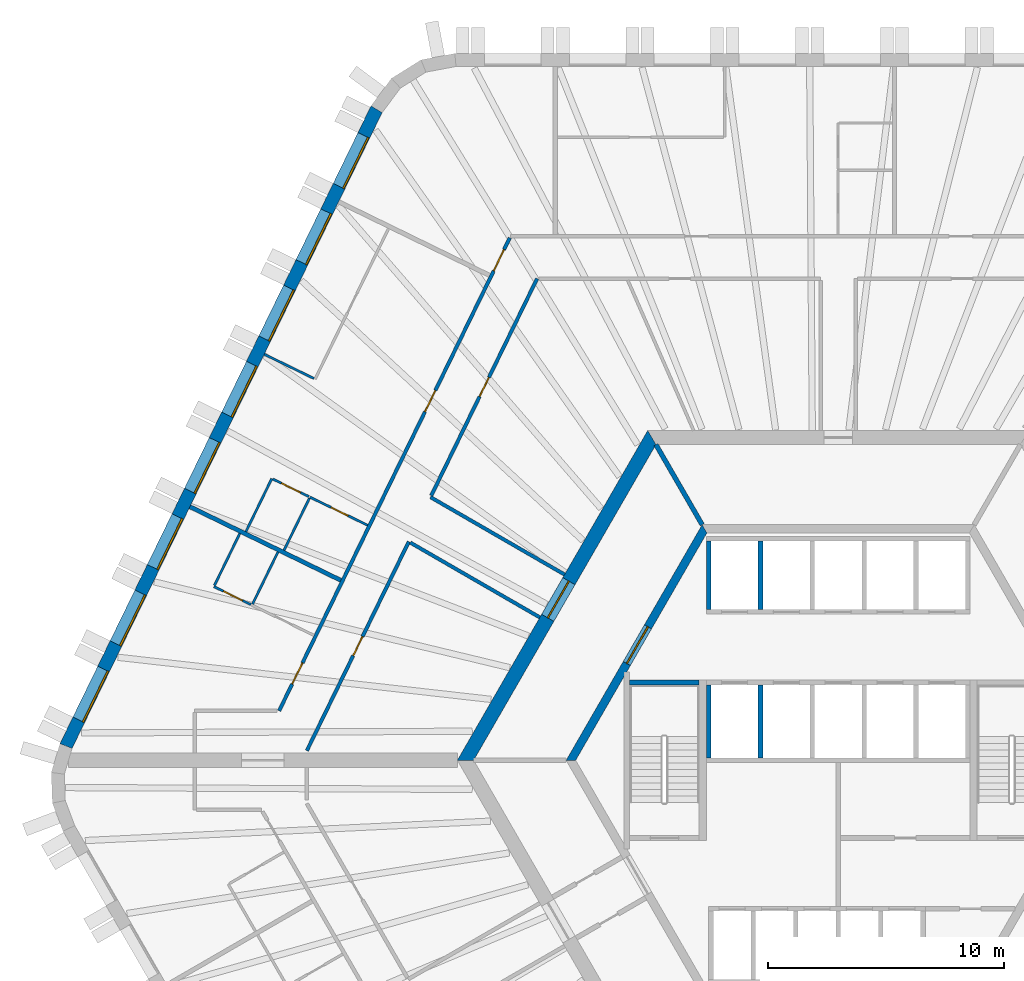
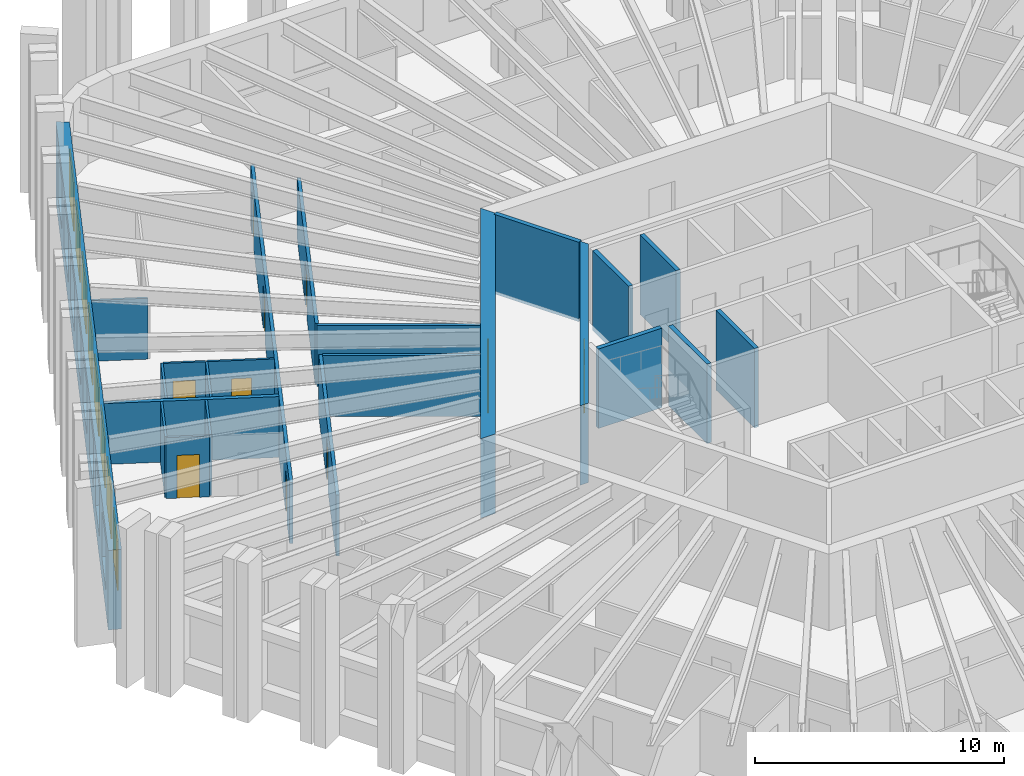
# One storey, part 7 of 13: 23 walls, 10 doors, 8 windows, 18 openings.
"""IFC4 building model written with IfcOpenShell, lengths in metres."""

import ifcopenshell
import ifcopenshell.guid

model = None  # the IFC model being written
_history = None  # IfcOwnerHistory: only IFC2X3 demands one
_inside = {}  # id of a spatial element -> (the spatial element, [elements in it])
_under = {}  # id of a project, library or spatial element -> (it, [spatial elements below it])
_declared = {}  # id of a project -> (the project, [libraries it declares])
_typed = {}  # id of a type object -> (the type object, [elements of that type])
_made_of = {}  # id of a material, layer set ... -> (it, [elements and type objects made of it])


def new_model(schema):
    """Start an empty IFC model of exactly this schema.

    Asked for "IFC4X3", IfcOpenShell would pick the latest addendum, in which some entities
    have other attributes; the version numbers below select the first issue.
    IFC2X3 requires an IfcOwnerHistory on every rooted entity: one is made here for all.
    """
    global model, _history
    if schema == "IFC4X3":
        model = ifcopenshell.file(schema_version=(4, 3, 0, 0))
    else:
        model = ifcopenshell.file(schema=schema)
    _inside.clear()
    _under.clear()
    _declared.clear()
    _typed.clear()
    _made_of.clear()
    _history = None
    if model.schema == "IFC2X3":
        org = make("IfcOrganization", Name="unknown")
        user = make(
            "IfcPersonAndOrganization",
            ThePerson=make("IfcPerson", FamilyName="unknown"),
            TheOrganization=org,
        )
        app = make(
            "IfcApplication",
            ApplicationDeveloper=org,
            Version="unknown",
            ApplicationFullName="unknown",
            ApplicationIdentifier="unknown",
        )
        _history = make(
            "IfcOwnerHistory",
            OwningUser=user,
            OwningApplication=app,
            ChangeAction="ADDED",
            CreationDate=0,
        )
    return model


def make(cls, **values):
    """One entity of the class cls with the attributes given. An attribute that is None is left unset."""
    return model.create_entity(
        cls, **{name: value for name, value in values.items() if value is not None}
    )


def rooted(cls, **values):
    """An entity with a GlobalId (a new one), such as an element, a storey or a relation."""
    return make(cls, GlobalId=ifcopenshell.guid.new(), OwnerHistory=_history, **values)


def si_unit(unit_type, name, prefix=None):
    """IfcSIUnit, for example si_unit("LENGTHUNIT", "METRE", prefix="MILLI")."""
    return make("IfcSIUnit", UnitType=unit_type, Prefix=prefix, Name=name)


def assignment(units):
    """IfcUnitAssignment: the units of a project."""
    return None if units is None else make("IfcUnitAssignment", Units=units)


def point(xyz):
    """IfcCartesianPoint."""
    return None if xyz is None else make("IfcCartesianPoint", Coordinates=xyz)


def direction(xyz):
    """IfcDirection."""
    return None if xyz is None else make("IfcDirection", DirectionRatios=xyz)


def frame(location, z_axis=None, x_axis=None):
    """IfcAxis2Placement3D, a coordinate frame: its origin and axes. An axis left out is left unset."""
    return make(
        "IfcAxis2Placement3D",
        Location=point(location),
        Axis=direction(z_axis),
        RefDirection=direction(x_axis),
    )


def frame_2d(location, x_axis=None):
    """IfcAxis2Placement2D, a coordinate frame in the plane: its origin and x axis."""
    return make(
        "IfcAxis2Placement2D", Location=point(location), RefDirection=direction(x_axis)
    )


def origin():
    """The frame at (0, 0, 0) with its axes left unset."""
    return frame((0.0, 0.0, 0.0))


def place(relative_to, where):
    """IfcLocalPlacement: puts the frame where relative to a parent placement (None: the world)."""
    return make(
        "IfcLocalPlacement", PlacementRelTo=relative_to, RelativePlacement=where
    )


def context(
    kind, dimensions, precision=None, world=None, true_north=None, identifier=None
):
    """IfcGeometricRepresentationContext, for example the 3D "Model" context."""
    return make(
        "IfcGeometricRepresentationContext",
        ContextIdentifier=identifier,
        ContextType=kind,
        CoordinateSpaceDimension=dimensions,
        Precision=precision,
        WorldCoordinateSystem=world,
        TrueNorth=true_north,
    )


def subcontext(parent, identifier, kind, view, scale=None):
    """IfcGeometricRepresentationSubContext, for example "Body" below "Model"."""
    return make(
        "IfcGeometricRepresentationSubContext",
        ContextIdentifier=identifier,
        ContextType=kind,
        ParentContext=parent,
        TargetScale=scale,
        TargetView=view,
    )


def project(units=None, contexts=None):
    """IfcProject with its units and contexts."""
    return rooted(
        "IfcProject",
        Name="project",
        RepresentationContexts=contexts,
        UnitsInContext=assignment(units),
    )


def spatial(cls, under=None, at=None, **own):
    """A site, building, storey or space (cls), placed at a placement, below another one or the project."""
    s = rooted(cls, ObjectPlacement=at, **own)
    if under is not None:
        _under.setdefault(under.id(), (under, []))[1].append(s)
    return s


def polyline(points):
    """IfcPolyline through the points."""
    return make("IfcPolyline", Points=[point(p) for p in points])


def profile(cls, at=None, kind="AREA", **sizes):
    """A parametric profile (cls). Its sizes go by their IFC names, for example OverallWidth=200.0."""
    return make(cls, ProfileType=kind, Position=at, **sizes)


def rectangle(**sizes):
    """IfcRectangleProfileDef."""
    return profile("IfcRectangleProfileDef", **sizes)


def outline(outer, holes=None, kind="AREA"):
    """IfcArbitraryClosedProfileDef: a profile drawn as a closed curve; with holes, ...WithVoids."""
    if holes is None:
        return make("IfcArbitraryClosedProfileDef", ProfileType=kind, OuterCurve=outer)
    return make(
        "IfcArbitraryProfileDefWithVoids",
        ProfileType=kind,
        OuterCurve=outer,
        InnerCurves=holes,
    )


def extrude(swept, where, along, depth):
    """IfcExtrudedAreaSolid: the profile swept, set in the frame where, extruded along a direction by depth."""
    return make(
        "IfcExtrudedAreaSolid",
        SweptArea=swept,
        Position=where,
        ExtrudedDirection=direction(along),
        Depth=depth,
    )


def shape(context_of_items, identifier, shape_type, items):
    """IfcShapeRepresentation: the items that make up one representation, for example the "Body"."""
    return make(
        "IfcShapeRepresentation",
        ContextOfItems=context_of_items,
        RepresentationIdentifier=identifier,
        RepresentationType=shape_type,
        Items=items,
    )


def material(Name=None, Category=None):
    """IfcMaterial."""
    return make("IfcMaterial", Name=Name, Category=Category)


def layer(
    of_material, thickness, ventilated=None, Name=None, Category=None, Priority=None
):
    """IfcMaterialLayer: one layer of a wall or slab, of a material (None: an air gap)."""
    return make(
        "IfcMaterialLayer",
        Material=of_material,
        LayerThickness=thickness,
        IsVentilated=ventilated,
        Name=Name,
        Category=Category,
        Priority=Priority,
    )


def layer_set(layers, Name=None):
    """IfcMaterialLayerSet."""
    return make("IfcMaterialLayerSet", MaterialLayers=layers, LayerSetName=Name)


def made_of(thing, what):
    """Note that an element or type object is made of a material, layer set ...; save() writes the relation."""
    if what is not None:
        _made_of.setdefault(what.id(), (what, []))[1].append(thing)
    return thing


def type_object(cls, material=None, **own):
    """A type object (cls), such as IfcWallType, which elements share."""
    return made_of(rooted(cls, **own), material)


def element(
    cls,
    number,
    at=None,
    inside=None,
    cuts=None,
    type_object=None,
    material=None,
    context=None,
    identifier="Body",
    shape_type=None,
    held_by="IfcProductDefinitionShape",
    body=None,
    shapes=None,
    **own,
):
    """One element of the class cls, such as IfcWall. Its Tag is "e" and its number.

    at: its placement. inside: the storey or other place that contains it. cuts: it is an
    opening in that element (IfcRelVoidsElement). A single representation is given by context,
    identifier, shape_type and body (its items); several are given by shapes. held_by: the class
    of the entity that holds the representations. save() writes the other relations.
    """
    e = rooted(cls, Tag="e%d" % number, ObjectPlacement=at, **own)
    if body is not None:
        shapes = [shape(context, identifier, shape_type, body)]
    if shapes is not None:
        e.Representation = make(held_by, Representations=shapes)
    if inside is not None:
        _inside.setdefault(inside.id(), (inside, []))[1].append(e)
    if cuts is not None:
        rooted(
            "IfcRelVoidsElement", RelatingBuildingElement=cuts, RelatedOpeningElement=e
        )
    if type_object is not None:
        _typed.setdefault(type_object.id(), (type_object, []))[1].append(e)
    return made_of(e, material)


def fill(opening, filler):
    """IfcRelFillsElement: the door or window that sits in an opening."""
    return rooted(
        "IfcRelFillsElement",
        RelatingOpeningElement=opening,
        RelatedBuildingElement=filler,
    )


def aggregate(whole, parts):
    """IfcRelAggregates: a whole, such as a stair, and the parts it consists of."""
    return rooted("IfcRelAggregates", RelatingObject=whole, RelatedObjects=parts)


def save(model, path):
    """Write the relations noted so far, then the file.

    IfcRelAggregates (storeys below a building ...), IfcRelContainedInSpatialStructure (elements
    in a storey), IfcRelDefinesByType, IfcRelAssociatesMaterial and IfcRelDeclares: one each for
    every whole, place, type object, material and project.
    """
    for whole, parts in _under.values():
        aggregate(whole, parts)
    for where, things in _inside.values():
        rooted(
            "IfcRelContainedInSpatialStructure",
            RelatedElements=things,
            RelatingStructure=where,
        )
    for kind, things in _typed.values():
        rooted("IfcRelDefinesByType", RelatedObjects=things, RelatingType=kind)
    for what, things in _made_of.values():
        rooted("IfcRelAssociatesMaterial", RelatedObjects=things, RelatingMaterial=what)
    for by, libraries in _declared.values():
        rooted("IfcRelDeclares", RelatingContext=by, RelatedDefinitions=libraries)
    model.write(path)


model = new_model("IFC4")

# Units and contexts
model_context = context("Model", 3, precision=1e-05, world=origin(), true_north=direction((0.0, 1.0)))
body_context = subcontext(model_context, "Body", "Model", "MODEL_VIEW")
ifc_project = project(units=[si_unit("LENGTHUNIT", "METRE"), si_unit("AREAUNIT", "SQUARE_METRE"), si_unit("VOLUMEUNIT", "CUBIC_METRE"), si_unit("PLANEANGLEUNIT", "RADIAN"), si_unit("MASSUNIT", "GRAM", prefix="KILO")], contexts=[model_context])

# Site, building, storey
site_placement = place(None, origin())
site = spatial("IfcSite", under=ifc_project, at=site_placement, CompositionType="ELEMENT")
building_placement = place(site_placement, origin())
building = spatial("IfcBuilding", under=site, at=building_placement, Name="Tarnside Tower", CompositionType="ELEMENT")
storey_placement = place(building_placement, frame((0.0, 0.0, 92.10009765625)))
storey = spatial("IfcBuildingStorey", under=building, at=storey_placement, Name="L20", CompositionType="ELEMENT", Elevation=92.10009765625)

# Wall, opening, door
ifc_material_1 = material(Name="Gypsum board partition on steel studs", Category="steel")
ifc_layer_1 = layer(ifc_material_1, 0.10009765625)
ifc_layer_set_1 = layer_set([ifc_layer_1], Name="Bathroom wall 100")
wall_type_1 = type_object("IfcWallType", Name="Bathroom wall 100", PredefinedType="PARTITIONING", material=ifc_layer_set_1)
wall_1_placement = place(storey_placement, frame((-22.42236328125, 11.1708984375, 0.0), z_axis=(0.0, 0.0, 1.0), x_axis=(0.898791692788, -0.43837597217, 0.0)))
wall_1 = element("IfcWall", 1, at=wall_1_placement, inside=storey, type_object=wall_type_1, Name="Bathroom wall 06095", PredefinedType="PARTITIONING", context=body_context, shape_type="SweptSolid", body=[
    extrude(rectangle(XDim=2.72509765625, YDim=0.10009765625, at=frame_2d((1.362548828125, 0.0))), origin(), (0.0, 0.0, 1.0), 2.98779296875),
])
opening_1_placement = place(wall_1_placement, frame((1.0, 0.0, 0.0)))
opening_1 = element("IfcOpeningElement", 2, at=opening_1_placement, cuts=wall_1, Name="Opening D-B1", PredefinedType="OPENING", context=body_context, shape_type="SweptSolid", body=[
    extrude(rectangle(XDim=0.800048828125, YDim=2.10009765625, at=frame_2d((0.39990234375, 1.050048828125))), frame((0.0, 0.06005859375, 0.0), z_axis=(0.0, -1.0, 0.0), x_axis=(1.0, 0.0, 0.0)), (0.0, 0.0, 1.0), 0.1201171875),
])
ifc_material_2 = material(Name="Timber door leaf", Category="wood")
door_type_1 = type_object("IfcDoorType", Name="Bathroom door 800", OperationType="NOTDEFINED", PredefinedType="DOOR", material=ifc_material_2)
door_1_placement = place(opening_1_placement, origin())
door_1 = element("IfcDoor", 3, at=door_1_placement, inside=storey, type_object=door_type_1, Name="Bathroom door 06010", OperationType="SINGLE_SWING_LEFT", OverallHeight=2.10009765625, OverallWidth=0.800048828125, PredefinedType="DOOR", context=body_context, shape_type="SweptSolid", body=[
    extrude(rectangle(XDim=0.800048828125, YDim=2.10009765625, at=frame_2d((0.39990234375, 1.050048828125))), frame((0.0, 0.02490234375, 0.0), z_axis=(0.0, -1.0, 0.0), x_axis=(1.0, 0.0, 0.0)), (0.0, 0.0, 1.0), 0.050048828125),
])
fill(opening_1, door_1)

# Walls
for number, where, z_axis, x_axis, name in (
    (4, (-22.444091796875, 11.1259765625, 0.0), (0.0, 0.0, 1.0), (-0.438378657462, -0.89879038306, 0.0), "Bathroom wall 06102"),
    (5, (-23.78125, 8.8408203125, 0.0), (0.0, 0.0, 1.0), (-0.438378657462, -0.89879038306, 0.0), "Bathroom wall 06109"),
):
    element("IfcWall", number, at=place(storey_placement, frame(where, z_axis=z_axis, x_axis=x_axis)), inside=storey, type_object=wall_type_1, Name=name, PredefinedType="PARTITIONING", context=body_context, shape_type="SweptSolid", body=[
        extrude(rectangle(XDim=2.4599609375, YDim=0.10009765625, at=frame_2d((1.22998046875, 0.0))), origin(), (0.0, 0.0, 1.0), 2.98779296875),
    ])

# Wall, opening, door
ifc_material_3 = material(Name="Concrete C50/60", Category="concrete")
ifc_layer_2 = layer(ifc_material_3, 0.35009765625)
ifc_layer_set_2 = layer_set([ifc_layer_2], Name="Core block wall 350 C50/60")
wall_type_2 = type_object("IfcWallType", Name="Core block wall 350 C50/60", PredefinedType="SHEAR", material=ifc_layer_set_2)
wall_2_placement = place(storey_placement, frame((-5.672607421875, 9.824951171875, -0.150146484375), z_axis=(0.0, 0.0, 1.0), x_axis=(-0.499995046907, -0.866028263435, 0.0)))
wall_2 = element("IfcWall", 6, at=wall_2_placement, inside=storey, type_object=wall_type_2, Name="L20 core block wall face 2", PredefinedType="SHEAR", context=body_context, shape_type="SweptSolid", body=[
    extrude(outline(polyline([(-0.10107421875, -0.175048828125), (11.44580078125, -0.175048828125), (11.24365234375, 0.175048828125), (0.10107421875, 0.175048828125), (-0.10107421875, -0.175048828125)])), origin(), (0.0, 0.0, 1.0), 3.900146484375),
])
opening_2_placement = place(wall_2_placement, frame((4.80126953125, 0.0, 0.14990234375)))
opening_2 = element("IfcOpeningElement", 7, at=opening_2_placement, cuts=wall_2, Name="Opening CD-LOB", PredefinedType="OPENING", context=body_context, shape_type="SweptSolid", body=[
    extrude(rectangle(XDim=1.800048828125, YDim=2.39990234375, at=frame_2d((0.89990234375, 1.199951171875))), frame((0.0, 0.18505859375, 0.0), z_axis=(0.0, -1.0, 0.0), x_axis=(1.0, 0.0, 0.0)), (0.0, 0.0, 1.0), 0.3701171875),
])
ifc_material_4 = material(Name="Steel fire door", Category="steel")
door_type_2 = type_object("IfcDoorType", Name="Lobby double door FD30S 1800x2400", OperationType="NOTDEFINED", PredefinedType="DOOR", material=ifc_material_4)
door_2_placement = place(opening_2_placement, origin())
door_2 = element("IfcDoor", 8, at=door_2_placement, inside=storey, type_object=door_type_2, Name="L20 lobby block door P1", OperationType="DOUBLE_DOOR_SINGLE_SWING", OverallHeight=2.39990234375, OverallWidth=1.800048828125, PredefinedType="DOOR", context=body_context, shape_type="SweptSolid", body=[
    extrude(rectangle(XDim=1.800048828125, YDim=2.39990234375, at=frame_2d((0.89990234375, 1.199951171875))), frame((0.0, 0.02490234375, 0.0), z_axis=(0.0, -1.0, 0.0), x_axis=(1.0, 0.0, 0.0)), (0.0, 0.0, 1.0), 0.050048828125),
])
fill(opening_2, door_2)

ifc_material_5 = material(Name="Concrete C80/95", Category="concrete")
ifc_layer_3 = layer(ifc_material_5, 0.60009765625)
ifc_layer_set_3 = layer_set([ifc_layer_3], Name="Core wall Z1 600 C80/95")
wall_type_3 = type_object("IfcWallType", Name="Core wall Z1 600 C80/95", PredefinedType="SHEAR", material=ifc_layer_set_3)
wall_3_placement = place(storey_placement, frame((-7.90966796875, 13.699951171875, -0.150146484375), z_axis=(0.0, 0.0, 1.0), x_axis=(-0.499999880136, -0.866025472988, 0.0)))
wall_3 = element("IfcWall", 9, at=wall_3_placement, inside=storey, type_object=wall_type_3, Name="L20 core wall face 2", PredefinedType="SHEAR", context=body_context, shape_type="SweptSolid", body=[
    extrude(outline(polyline([(-0.17333984375, -0.300048828125), (15.99267578125, -0.300048828125), (15.64599609375, 0.300048828125), (0.17333984375, 0.300048828125), (-0.17333984375, -0.300048828125)])), origin(), (0.0, 0.0, 1.0), 3.900146484375),
])
opening_3_placement = place(wall_3_placement, frame((7.03857421875, 0.0, 0.14990234375)))
opening_3 = element("IfcOpeningElement", 10, at=opening_3_placement, cuts=wall_3, Name="Opening CD-LOB", PredefinedType="OPENING", context=body_context, shape_type="SweptSolid", body=[
    extrude(rectangle(XDim=1.800048828125, YDim=2.39990234375, at=frame_2d((0.89990234375, 1.199951171875))), frame((0.0, 0.31005859375, 0.0), z_axis=(0.0, -1.0, 0.0), x_axis=(1.0, 0.0, 0.0)), (0.0, 0.0, 1.0), 0.6201171875),
])
door_3_placement = place(opening_3_placement, origin())
door_3 = element("IfcDoor", 11, at=door_3_placement, inside=storey, type_object=door_type_2, Name="L20 core door P1", OperationType="DOUBLE_DOOR_SINGLE_SWING", OverallHeight=2.39990234375, OverallWidth=1.800048828125, PredefinedType="DOOR", context=body_context, shape_type="SweptSolid", body=[
    extrude(rectangle(XDim=1.800048828125, YDim=2.39990234375, at=frame_2d((0.89990234375, 1.199951171875))), frame((0.0, 0.02490234375, 0.0), z_axis=(0.0, -1.0, 0.0), x_axis=(1.0, 0.0, 0.0)), (0.0, 0.0, 1.0), 0.050048828125),
])
fill(opening_3, door_3)

# Wall, openings, doors
ifc_layer_4 = layer(ifc_material_1, 0.14990234375)
ifc_layer_set_4 = layer_set([ifc_layer_4], Name="Corridor wall 150 EI 60")
wall_type_4 = type_object("IfcWallType", Name="Corridor wall 150 EI 60", PredefinedType="PARTITIONING", material=ifc_layer_set_4)
wall_4_placement = place(storey_placement, frame((-13.93994140625, 22.175048828125, 0.0), z_axis=(0.0, 0.0, 1.0), x_axis=(-0.438373022655, -0.898793131376, 0.0)))
wall_4 = element("IfcWall", 12, at=wall_4_placement, inside=storey, type_object=wall_type_4, Name="Corridor wall 06008", PredefinedType="PARTITIONING", context=body_context, shape_type="SweptSolid", body=[
    extrude(rectangle(XDim=22.33544921875, YDim=0.14990234375, at=frame_2d((11.167724609375, 0.0))), origin(), (0.0, 0.0, 1.0), 2.98779296875),
])
opening_4_placement = place(wall_4_placement, frame((0.558837890625, 0.0, 0.0)))
opening_4 = element("IfcOpeningElement", 13, at=opening_4_placement, cuts=wall_4, Name="Opening D-E1", PredefinedType="OPENING", context=body_context, shape_type="SweptSolid", body=[
    extrude(rectangle(XDim=1.0, YDim=2.10009765625, at=frame_2d((0.5, 1.050048828125))), frame((0.0, 0.0849609375, 0.0), z_axis=(0.0, -1.0, 0.0), x_axis=(1.0, 0.0, 0.0)), (0.0, 0.0, 1.0), 0.169921875),
])
opening_5_placement = place(wall_4_placement, frame((7.208740234375, 0.0, 0.0)))
opening_5 = element("IfcOpeningElement", 14, at=opening_5_placement, cuts=wall_4, Name="Opening D-E1", PredefinedType="OPENING", context=body_context, shape_type="SweptSolid", body=[
    extrude(rectangle(XDim=1.0, YDim=2.10009765625, at=frame_2d((0.5, 1.050048828125))), frame((0.0, 0.0849609375, 0.0), z_axis=(0.0, -1.0, 0.0), x_axis=(1.0, 0.0, 0.0)), (0.0, 0.0, 1.0), 0.169921875),
])
opening_6_placement = place(wall_4_placement, frame((20.072021484375, 0.0, 0.0)))
opening_6 = element("IfcOpeningElement", 15, at=opening_6_placement, cuts=wall_4, Name="Opening D-E1", PredefinedType="OPENING", context=body_context, shape_type="SweptSolid", body=[
    extrude(rectangle(XDim=1.0, YDim=2.10009765625, at=frame_2d((0.5, 1.050048828125))), frame((0.0, 0.0849609375, 0.0), z_axis=(0.0, -1.0, 0.0), x_axis=(1.0, 0.0, 0.0)), (0.0, 0.0, 1.0), 0.169921875),
])
door_type_3 = type_object("IfcDoorType", Name="Unit entrance door 1000 FD30S", OperationType="NOTDEFINED", PredefinedType="DOOR", material=ifc_material_2)
door_4_placement = place(opening_4_placement, origin())
door_4 = element("IfcDoor", 16, at=door_4_placement, inside=storey, type_object=door_type_3, Name="Unit door 06008", OperationType="SINGLE_SWING_LEFT", OverallHeight=2.10009765625, OverallWidth=1.0, PredefinedType="DOOR", context=body_context, shape_type="SweptSolid", body=[
    extrude(rectangle(XDim=1.0, YDim=2.10009765625, at=frame_2d((0.5, 1.050048828125))), frame((0.0, 0.02490234375, 0.0), z_axis=(0.0, -1.0, 0.0), x_axis=(1.0, 0.0, 0.0)), (0.0, 0.0, 1.0), 0.050048828125),
])
fill(opening_4, door_4)
door_5_placement = place(opening_5_placement, origin())
door_5 = element("IfcDoor", 17, at=door_5_placement, inside=storey, type_object=door_type_3, Name="Unit door 06009", OperationType="SINGLE_SWING_LEFT", OverallHeight=2.10009765625, OverallWidth=1.0, PredefinedType="DOOR", context=body_context, shape_type="SweptSolid", body=[
    extrude(rectangle(XDim=1.0, YDim=2.10009765625, at=frame_2d((0.5, 1.050048828125))), frame((0.0, 0.02490234375, 0.0), z_axis=(0.0, -1.0, 0.0), x_axis=(1.0, 0.0, 0.0)), (0.0, 0.0, 1.0), 0.050048828125),
])
fill(opening_5, door_5)
door_6_placement = place(opening_6_placement, origin())
door_6 = element("IfcDoor", 18, at=door_6_placement, inside=storey, type_object=door_type_3, Name="Unit door 06013", OperationType="SINGLE_SWING_LEFT", OverallHeight=2.10009765625, OverallWidth=1.0, PredefinedType="DOOR", context=body_context, shape_type="SweptSolid", body=[
    extrude(rectangle(XDim=1.0, YDim=2.10009765625, at=frame_2d((0.5, 1.050048828125))), frame((0.0, 0.02490234375, 0.0), z_axis=(0.0, -1.0, 0.0), x_axis=(1.0, 0.0, 0.0)), (0.0, 0.0, 1.0), 0.050048828125),
])
fill(opening_6, door_6)

# Wall
wall_5_placement = place(storey_placement, frame((-11.61376953125, 7.88427734375, 0.0), z_axis=(0.0, 0.0, 1.0), x_axis=(-0.866025963225, 0.49999903102, 0.0)))
element("IfcWall", 19, at=wall_5_placement, inside=storey, type_object=wall_type_4, Name="Corridor wall 06017", PredefinedType="PARTITIONING", context=body_context, shape_type="SweptSolid", body=[
    extrude(rectangle(XDim=6.5712890625, YDim=0.14990234375, at=frame_2d((3.28564453125, 0.0))), origin(), (0.0, 0.0, 1.0), 2.98779296875),
])

# Wall, opening, door
wall_6_placement = place(storey_placement, frame((-17.271728515625, 11.237548828125, 0.0), z_axis=(0.0, 0.0, 1.0), x_axis=(0.438369193793, 0.898794998836, 0.0)))
wall_6 = element("IfcWall", 20, at=wall_6_placement, inside=storey, type_object=wall_type_4, Name="Corridor wall 06018", PredefinedType="PARTITIONING", context=body_context, shape_type="SweptSolid", body=[
    extrude(rectangle(XDim=10.249755859375, YDim=0.14990234375, at=frame_2d((5.125, 0.0))), origin(), (0.0, 0.0, 1.0), 2.98779296875),
])
opening_7_placement = place(wall_6_placement, frame((4.6748046875, 0.0, 0.0)))
opening_7 = element("IfcOpeningElement", 21, at=opening_7_placement, cuts=wall_6, Name="Opening D-S1", PredefinedType="OPENING", context=body_context, shape_type="SweptSolid", body=[
    extrude(rectangle(XDim=0.89990234375, YDim=2.10009765625, at=frame_2d((0.449951171875, 1.050048828125))), frame((0.0, 0.0849609375, 0.0), z_axis=(0.0, -1.0, 0.0), x_axis=(1.0, 0.0, 0.0)), (0.0, 0.0, 1.0), 0.169921875),
])
door_type_4 = type_object("IfcDoorType", Name="Service room door 900 FD30S", OperationType="NOTDEFINED", PredefinedType="DOOR", material=ifc_material_2)
door_7_placement = place(opening_7_placement, origin())
door_7 = element("IfcDoor", 22, at=door_7_placement, inside=storey, type_object=door_type_4, Name="Service door 06043", OperationType="SINGLE_SWING_LEFT", OverallHeight=2.10009765625, OverallWidth=0.89990234375, PredefinedType="DOOR", context=body_context, shape_type="SweptSolid", body=[
    extrude(rectangle(XDim=0.89990234375, YDim=2.10009765625, at=frame_2d((0.449951171875, 1.050048828125))), frame((0.0, 0.02490234375, 0.0), z_axis=(0.0, -1.0, 0.0), x_axis=(1.0, 0.0, 0.0)), (0.0, 0.0, 1.0), 0.050048828125),
])
fill(opening_7, door_7)

wall_7_placement = place(storey_placement, frame((-22.552734375, 0.41015625, 0.0), z_axis=(0.0, 0.0, 1.0), x_axis=(0.438382679221, 0.898788421465, 0.0)))
wall_7 = element("IfcWall", 23, at=wall_7_placement, inside=storey, type_object=wall_type_4, Name="Corridor wall 06023", PredefinedType="PARTITIONING", context=body_context, shape_type="SweptSolid", body=[
    extrude(rectangle(XDim=9.8662109375, YDim=0.14990234375, at=frame_2d((4.93310546875, 0.0))), origin(), (0.0, 0.0, 1.0), 2.98779296875),
])
opening_8_placement = place(wall_7_placement, frame((4.483154296875, 0.0, 0.0)))
opening_8 = element("IfcOpeningElement", 24, at=opening_8_placement, cuts=wall_7, Name="Opening D-S1", PredefinedType="OPENING", context=body_context, shape_type="SweptSolid", body=[
    extrude(rectangle(XDim=0.89990234375, YDim=2.10009765625, at=frame_2d((0.449951171875, 1.050048828125))), frame((0.0, 0.0849609375, 0.0), z_axis=(0.0, -1.0, 0.0), x_axis=(1.0, 0.0, 0.0)), (0.0, 0.0, 1.0), 0.169921875),
])
door_8_placement = place(opening_8_placement, origin())
door_8 = element("IfcDoor", 25, at=door_8_placement, inside=storey, type_object=door_type_4, Name="Service door 06045", OperationType="SINGLE_SWING_RIGHT", OverallHeight=2.10009765625, OverallWidth=0.89990234375, PredefinedType="DOOR", context=body_context, shape_type="SweptSolid", body=[
    extrude(rectangle(XDim=0.89990234375, YDim=2.10009765625, at=frame_2d((0.449951171875, 1.050048828125))), frame((0.0, 0.02490234375, 0.0), z_axis=(0.0, -1.0, 0.0), x_axis=(1.0, 0.0, 0.0)), (0.0, 0.0, 1.0), 0.050048828125),
])
fill(opening_8, door_8)

# Walls
wall_8_placement = place(storey_placement, frame((-18.162353515625, 9.240234375, 0.0), z_axis=(0.0, 0.0, 1.0), x_axis=(0.866026781814, -0.499997613175, 0.0)))
element("IfcWall", 26, at=wall_8_placement, inside=storey, type_object=wall_type_4, Name="Corridor wall 06024", PredefinedType="PARTITIONING", context=body_context, shape_type="SweptSolid", body=[
    extrude(rectangle(XDim=6.34912109375, YDim=0.14990234375, at=frame_2d((3.174560546875, 0.0))), origin(), (0.0, 0.0, 1.0), 2.98779296875),
])
ifc_layer_5 = layer(ifc_material_1, 0.179931640625)
ifc_layer_set_5 = layer_set([ifc_layer_5], Name="Demising wall 180 EI 60")
wall_type_5 = type_object("IfcWallType", Name="Demising wall 180 EI 60", PredefinedType="PARTITIONING", material=ifc_layer_set_5)
wall_9_placement = place(storey_placement, frame((-27.5166015625, 10.762939453125, 0.0), z_axis=(0.0, 0.0, 1.0), x_axis=(0.898783593711, -0.438392577123, 0.0)))
element("IfcWall", 27, at=wall_9_placement, inside=storey, type_object=wall_type_5, Name="Demising wall 06100", PredefinedType="PARTITIONING", context=body_context, shape_type="SweptSolid", body=[
    extrude(rectangle(XDim=7.125, YDim=0.179931640625, at=frame_2d((3.5625, 0.0))), origin(), (0.0, 0.0, 1.0), 2.98779296875),
])
ifc_material_6 = material(Name="Concrete C40/50", Category="concrete")
ifc_layer_6 = layer(ifc_material_6, 0.199951171875)
ifc_layer_set_6 = layer_set([ifc_layer_6], Name="Lift shaft wall 200 C40/50")
wall_type_6 = type_object("IfcWallType", Name="Lift shaft wall 200 C40/50", PredefinedType="SHEAR", material=ifc_layer_set_6)
for number, where, z_axis, x_axis, name in (
    (28, (-5.5, 6.39990234375, -0.25), (0.0, 0.0, 1.0), (0.0, 1.0, 0.0), "L20 lift shaft partition R11"),
    (29, (-3.300048828125, 6.39990234375, -0.25), (0.0, 0.0, 1.0), (0.0, 1.0, 0.0), "L20 lift shaft partition R12"),
):
    element("IfcWall", number, at=place(storey_placement, frame(where, z_axis=z_axis, x_axis=x_axis)), inside=storey, type_object=wall_type_6, Name=name, PredefinedType="SHEAR", context=body_context, shape_type="SweptSolid", body=[
        extrude(rectangle(XDim=2.900146484375, YDim=0.199951171875, at=frame_2d((1.4501953125, 0.0))), origin(), (0.0, 0.0, 1.0), 3.89990234375),
    ])
for number, where, z_axis, x_axis, name in (
    (30, (-5.5, 0.10009765625, -0.25), (0.0, 0.0, 1.0), (0.0, 1.0, 0.0), "L20 lift shaft partition R21"),
    (31, (-3.300048828125, 0.10009765625, -0.25), (0.0, 0.0, 1.0), (0.0, 1.0, 0.0), "L20 lift shaft partition R22"),
):
    element("IfcWall", number, at=place(storey_placement, frame(where, z_axis=z_axis, x_axis=x_axis)), inside=storey, type_object=wall_type_6, Name=name, PredefinedType="SHEAR", context=body_context, shape_type="SweptSolid", body=[
        extrude(rectangle(XDim=3.099853515625, YDim=0.199951171875, at=frame_2d((1.5498046875, 0.0))), origin(), (0.0, 0.0, 1.0), 3.89990234375),
    ])
wall_10_placement = place(storey_placement, frame((-5.7734375, 10.0, -0.150146484375), z_axis=(0.0, 0.0, 1.0), x_axis=(-0.500038251005, 0.86600331843, 0.0)))
element("IfcWall", 32, at=wall_10_placement, inside=storey, type_object=wall_type_6, Name="L20 core partition AR120", PredefinedType="SHEAR", context=body_context, shape_type="SweptSolid", body=[
    extrude(rectangle(XDim=3.926025390625, YDim=0.199951171875, at=frame_2d((1.962890625, 0.0))), origin(), (0.0, 0.0, 1.0), 3.900146484375),
])
wall_11_placement = place(storey_placement, frame((-8.85009765625, 3.300048828125, -0.25), z_axis=(0.0, 0.0, 1.0), x_axis=(1.0, 0.0, 0.0)))
element("IfcWall", 33, at=wall_11_placement, inside=storey, type_object=wall_type_6, Name="L20 stair 2 enclosure cap wall n", PredefinedType="SHEAR", context=body_context, shape_type="SweptSolid", body=[
    extrude(rectangle(XDim=2.9501953125, YDim=0.199951171875, at=frame_2d((1.47509765625, 0.0))), origin(), (0.0, 0.0, 1.0), 3.89990234375),
])
ifc_layer_7 = layer(ifc_material_1, 0.10009765625)
ifc_layer_set_7 = layer_set([ifc_layer_7], Name="Partition 100")
wall_type_7 = type_object("IfcWallType", Name="Partition 100", PredefinedType="PARTITIONING", material=ifc_layer_set_7)
wall_12_placement = place(storey_placement, frame((-25.140380859375, 9.7041015625, 0.0), z_axis=(0.0, 0.0, 1.0), x_axis=(0.438398718232, 0.898780598284, 0.0)))
element("IfcWall", 34, at=wall_12_placement, inside=storey, type_object=wall_type_7, Name="Partition wall 06096", PredefinedType="PARTITIONING", context=body_context, shape_type="SweptSolid", body=[
    extrude(rectangle(XDim=2.510009765625, YDim=0.10009765625, at=frame_2d((1.2548828125, 0.0))), origin(), (0.0, 0.0, 1.0), 2.98779296875),
])

# Wall, opening, door
wall_13_placement = place(storey_placement, frame((-23.9951171875, 11.93798828125, 0.0), z_axis=(0.0, 0.0, 1.0), x_axis=(0.898807091918, -0.438344398296, 0.0)))
wall_13 = element("IfcWall", 35, at=wall_13_placement, inside=storey, type_object=wall_type_7, Name="Partition wall 06097", PredefinedType="PARTITIONING", context=body_context, shape_type="SweptSolid", body=[
    extrude(rectangle(XDim=1.699951171875, YDim=0.10009765625, at=frame_2d((0.85009765625, 0.0))), origin(), (0.0, 0.0, 1.0), 2.98779296875),
])
opening_9_placement = place(wall_13_placement, frame((0.39990234375, 0.0, 0.0)))
opening_9 = element("IfcOpeningElement", 36, at=opening_9_placement, cuts=wall_13, Name="Opening D-I1", PredefinedType="OPENING", context=body_context, shape_type="SweptSolid", body=[
    extrude(rectangle(XDim=0.89990234375, YDim=2.10009765625, at=frame_2d((0.449951171875, 1.050048828125))), frame((0.0, 0.06005859375, 0.0), z_axis=(0.0, -1.0, 0.0), x_axis=(1.0, 0.0, 0.0)), (0.0, 0.0, 1.0), 0.1201171875),
])
door_type_5 = type_object("IfcDoorType", Name="Internal door 900", OperationType="NOTDEFINED", PredefinedType="DOOR", material=ifc_material_2)
door_9_placement = place(opening_9_placement, origin())
door_9 = element("IfcDoor", 37, at=door_9_placement, inside=storey, type_object=door_type_5, Name="Internal door 06011", OperationType="SINGLE_SWING_RIGHT", OverallHeight=2.10009765625, OverallWidth=0.89990234375, PredefinedType="DOOR", context=body_context, shape_type="SweptSolid", body=[
    extrude(rectangle(XDim=0.89990234375, YDim=2.10009765625, at=frame_2d((0.449951171875, 1.050048828125))), frame((0.0, 0.02490234375, 0.0), z_axis=(0.0, -1.0, 0.0), x_axis=(1.0, 0.0, 0.0)), (0.0, 0.0, 1.0), 0.050048828125),
])
fill(opening_9, door_9)

# Wall
wall_14_placement = place(storey_placement, frame((-22.248291015625, 16.2041015625, 0.0), z_axis=(0.0, 0.0, 1.0), x_axis=(-0.898809381275, 0.438339704034, 0.0)))
element("IfcWall", 38, at=wall_14_placement, inside=storey, type_object=wall_type_7, Name="Partition wall 06099", PredefinedType="PARTITIONING", context=body_context, shape_type="SweptSolid", body=[
    extrude(rectangle(XDim=2.349853515625, YDim=0.10009765625, at=frame_2d((1.1748046875, 0.0))), origin(), (0.0, 0.0, 1.0), 2.98779296875),
])

# Wall, opening, door
wall_15_placement = place(storey_placement, frame((-24.926513671875, 6.606689453125, 0.0), z_axis=(0.0, 0.0, 1.0), x_axis=(-0.898737604587, 0.438486850546, 0.0)))
wall_15 = element("IfcWall", 39, at=wall_15_placement, inside=storey, type_object=wall_type_7, Name="Partition wall 06107", PredefinedType="PARTITIONING", context=body_context, shape_type="SweptSolid", body=[
    extrude(rectangle(XDim=1.75, YDim=0.10009765625, at=frame_2d((0.875, 0.0))), origin(), (0.0, 0.0, 1.0), 2.98779296875),
])
opening_10_placement = place(wall_15_placement, frame((0.39990234375, 0.0, 0.0)))
opening_10 = element("IfcOpeningElement", 40, at=opening_10_placement, cuts=wall_15, Name="Opening D-I1", PredefinedType="OPENING", context=body_context, shape_type="SweptSolid", body=[
    extrude(rectangle(XDim=0.89990234375, YDim=2.10009765625, at=frame_2d((0.449951171875, 1.050048828125))), frame((0.0, 0.06005859375, 0.0), z_axis=(0.0, -1.0, 0.0), x_axis=(1.0, 0.0, 0.0)), (0.0, 0.0, 1.0), 0.1201171875),
])
door_10_placement = place(opening_10_placement, origin())
door_10 = element("IfcDoor", 41, at=door_10_placement, inside=storey, type_object=door_type_5, Name="Internal door 06015", OperationType="SINGLE_SWING_RIGHT", OverallHeight=2.10009765625, OverallWidth=0.89990234375, PredefinedType="DOOR", context=body_context, shape_type="SweptSolid", body=[
    extrude(rectangle(XDim=0.89990234375, YDim=2.10009765625, at=frame_2d((0.449951171875, 1.050048828125))), frame((0.0, 0.02490234375, 0.0), z_axis=(0.0, -1.0, 0.0), x_axis=(1.0, 0.0, 0.0)), (0.0, 0.0, 1.0), 0.050048828125),
])
fill(opening_10, door_10)

# Wall
wall_16_placement = place(storey_placement, frame((-26.4775390625, 7.4189453125, 0.0), z_axis=(0.0, 0.0, 1.0), x_axis=(0.438378657462, 0.89879038306, 0.0)))
element("IfcWall", 42, at=wall_16_placement, inside=storey, type_object=wall_type_7, Name="Partition wall 06108", PredefinedType="PARTITIONING", context=body_context, shape_type="SweptSolid", body=[
    extrude(rectangle(XDim=2.4599609375, YDim=0.10009765625, at=frame_2d((1.22998046875, 0.0))), origin(), (0.0, 0.0, 1.0), 2.98779296875),
])

# Wall, openings, windows
ifc_material_7 = material(Name="Facing brick", Category="masonry")
ifc_layer_8 = layer(ifc_material_7, 0.10205078125)
ifc_material_8 = material(Name="Concrete C60/75 precast", Category="concrete")
ifc_layer_9 = layer(ifc_material_8, 0.347900390625)
ifc_material_9 = material(Name="Mineral wool insulation")
ifc_layer_10 = layer(ifc_material_9, 0.10009765625)
ifc_layer_set_8 = layer_set([ifc_layer_8, ifc_layer_9, ifc_layer_10], Name="Tube wall 550 brick faced")
wall_type_8 = type_object("IfcWallType", Name="Tube wall 550 brick faced", PredefinedType="SOLIDWALL", material=ifc_layer_set_8)
wall_17_placement = place(storey_placement, frame((-19.5947265625, 27.6328125, -0.150146484375), z_axis=(0.0, 0.0, 1.0), x_axis=(-0.438368285794, -0.898795441694, 0.0)))
wall_17 = element("IfcWall", 43, at=wall_17_placement, inside=storey, type_object=wall_type_8, Name="Tube wall L20 F2 flush 04", PredefinedType="SOLIDWALL", context=body_context, shape_type="SweptSolid", body=[
    extrude(outline(polyline([(-0.025634765625, -0.27490234375), (30.09326171875, -0.27490234375), (30.04833984375, 0.27490234375), (0.025634765625, 0.27490234375), (-0.025634765625, -0.27490234375)])), origin(), (0.0, 0.0, 1.0), 3.900146484375),
])
opening_11_placement = place(wall_17_placement, frame((1.235595703125, 0.0, 1.050048828125)))
opening_11 = element("IfcOpeningElement", 44, at=opening_11_placement, cuts=wall_17, Name="Opening WH", PredefinedType="OPENING", context=body_context, shape_type="SweptSolid", body=[
    extrude(rectangle(XDim=2.39990234375, YDim=2.39990234375, at=frame_2d((1.199951171875, 1.199951171875))), frame((0.0, 0.28515625, 0.0), z_axis=(0.0, -1.0, 0.0), x_axis=(1.0, 0.0, 0.0)), (0.0, 0.0, 1.0), 0.570068359375),
])
opening_12_placement = place(wall_17_placement, frame((4.83544921875, 0.0, 1.050048828125)))
opening_12 = element("IfcOpeningElement", 45, at=opening_12_placement, cuts=wall_17, Name="Opening WH", PredefinedType="OPENING", context=body_context, shape_type="SweptSolid", body=[
    extrude(rectangle(XDim=2.39990234375, YDim=2.39990234375, at=frame_2d((1.199951171875, 1.199951171875))), frame((0.0, 0.28515625, 0.0), z_axis=(0.0, -1.0, 0.0), x_axis=(1.0, 0.0, 0.0)), (0.0, 0.0, 1.0), 0.570068359375),
])
opening_13_placement = place(wall_17_placement, frame((8.435546875, 0.0, 1.050048828125)))
opening_13 = element("IfcOpeningElement", 46, at=opening_13_placement, cuts=wall_17, Name="Opening WH", PredefinedType="OPENING", context=body_context, shape_type="SweptSolid", body=[
    extrude(rectangle(XDim=2.39990234375, YDim=2.39990234375, at=frame_2d((1.199951171875, 1.199951171875))), frame((0.0, 0.28515625, 0.0), z_axis=(0.0, -1.0, 0.0), x_axis=(1.0, 0.0, 0.0)), (0.0, 0.0, 1.0), 0.570068359375),
])
opening_14_placement = place(wall_17_placement, frame((12.035400390625, 0.0, 1.050048828125)))
opening_14 = element("IfcOpeningElement", 47, at=opening_14_placement, cuts=wall_17, Name="Opening WH", PredefinedType="OPENING", context=body_context, shape_type="SweptSolid", body=[
    extrude(rectangle(XDim=2.39990234375, YDim=2.39990234375, at=frame_2d((1.199951171875, 1.199951171875))), frame((0.0, 0.28515625, 0.0), z_axis=(0.0, -1.0, 0.0), x_axis=(1.0, 0.0, 0.0)), (0.0, 0.0, 1.0), 0.570068359375),
])
opening_15_placement = place(wall_17_placement, frame((15.635498046875, 0.0, 1.050048828125)))
opening_15 = element("IfcOpeningElement", 48, at=opening_15_placement, cuts=wall_17, Name="Opening WH", PredefinedType="OPENING", context=body_context, shape_type="SweptSolid", body=[
    extrude(rectangle(XDim=2.39990234375, YDim=2.39990234375, at=frame_2d((1.199951171875, 1.199951171875))), frame((0.0, 0.28515625, 0.0), z_axis=(0.0, -1.0, 0.0), x_axis=(1.0, 0.0, 0.0)), (0.0, 0.0, 1.0), 0.570068359375),
])
opening_16_placement = place(wall_17_placement, frame((19.235595703125, 0.0, 1.050048828125)))
opening_16 = element("IfcOpeningElement", 49, at=opening_16_placement, cuts=wall_17, Name="Opening WH", PredefinedType="OPENING", context=body_context, shape_type="SweptSolid", body=[
    extrude(rectangle(XDim=2.39990234375, YDim=2.39990234375, at=frame_2d((1.199951171875, 1.199951171875))), frame((0.0, 0.28515625, 0.0), z_axis=(0.0, -1.0, 0.0), x_axis=(1.0, 0.0, 0.0)), (0.0, 0.0, 1.0), 0.570068359375),
])
opening_17_placement = place(wall_17_placement, frame((22.83544921875, 0.0, 1.050048828125)))
opening_17 = element("IfcOpeningElement", 50, at=opening_17_placement, cuts=wall_17, Name="Opening WH", PredefinedType="OPENING", context=body_context, shape_type="SweptSolid", body=[
    extrude(rectangle(XDim=2.39990234375, YDim=2.39990234375, at=frame_2d((1.199951171875, 1.199951171875))), frame((0.0, 0.28515625, 0.0), z_axis=(0.0, -1.0, 0.0), x_axis=(1.0, 0.0, 0.0)), (0.0, 0.0, 1.0), 0.570068359375),
])
opening_18_placement = place(wall_17_placement, frame((26.435546875, 0.0, 1.050048828125)))
opening_18 = element("IfcOpeningElement", 51, at=opening_18_placement, cuts=wall_17, Name="Opening WH", PredefinedType="OPENING", context=body_context, shape_type="SweptSolid", body=[
    extrude(rectangle(XDim=2.39990234375, YDim=2.39990234375, at=frame_2d((1.199951171875, 1.199951171875))), frame((0.0, 0.28515625, 0.0), z_axis=(0.0, -1.0, 0.0), x_axis=(1.0, 0.0, 0.0)), (0.0, 0.0, 1.0), 0.570068359375),
])
ifc_material_10 = material(Name="Aluminium-framed double glazing", Category="aluminium")
window_type = type_object("IfcWindowType", Name="Hotel window 2400 x 2400", PartitioningType="DOUBLE_PANEL_VERTICAL", PredefinedType="WINDOW", material=ifc_material_10)
window_1_placement = place(opening_11_placement, frame((0.0, 0.205078125, 0.0)))
window_1 = element("IfcWindow", 52, at=window_1_placement, inside=storey, type_object=window_type, Name="E.WN.L20.F2.00", OverallHeight=2.39990234375, OverallWidth=2.39990234375, PartitioningType="DOUBLE_PANEL_VERTICAL", PredefinedType="WINDOW", context=body_context, shape_type="SweptSolid", body=[
    extrude(rectangle(XDim=2.39990234375, YDim=2.39990234375, at=frame_2d((1.199951171875, 1.199951171875))), frame((0.0, 0.030029296875, 0.0), z_axis=(0.0, -1.0, 0.0), x_axis=(1.0, 0.0, 0.0)), (0.0, 0.0, 1.0), 0.06005859375),
])
fill(opening_11, window_1)
window_2_placement = place(opening_12_placement, frame((0.0, 0.205078125, 0.0)))
window_2 = element("IfcWindow", 53, at=window_2_placement, inside=storey, type_object=window_type, Name="E.WN.L20.F2.01", OverallHeight=2.39990234375, OverallWidth=2.39990234375, PartitioningType="DOUBLE_PANEL_VERTICAL", PredefinedType="WINDOW", context=body_context, shape_type="SweptSolid", body=[
    extrude(rectangle(XDim=2.39990234375, YDim=2.39990234375, at=frame_2d((1.199951171875, 1.199951171875))), frame((0.0, 0.030029296875, 0.0), z_axis=(0.0, -1.0, 0.0), x_axis=(1.0, 0.0, 0.0)), (0.0, 0.0, 1.0), 0.06005859375),
])
fill(opening_12, window_2)
window_3_placement = place(opening_13_placement, frame((0.0, 0.205078125, 0.0)))
window_3 = element("IfcWindow", 54, at=window_3_placement, inside=storey, type_object=window_type, Name="E.WN.L20.F2.02", OverallHeight=2.39990234375, OverallWidth=2.39990234375, PartitioningType="DOUBLE_PANEL_VERTICAL", PredefinedType="WINDOW", context=body_context, shape_type="SweptSolid", body=[
    extrude(rectangle(XDim=2.39990234375, YDim=2.39990234375, at=frame_2d((1.199951171875, 1.199951171875))), frame((0.0, 0.030029296875, 0.0), z_axis=(0.0, -1.0, 0.0), x_axis=(1.0, 0.0, 0.0)), (0.0, 0.0, 1.0), 0.06005859375),
])
fill(opening_13, window_3)
window_4_placement = place(opening_14_placement, frame((0.0, 0.205078125, 0.0)))
window_4 = element("IfcWindow", 55, at=window_4_placement, inside=storey, type_object=window_type, Name="E.WN.L20.F2.03", OverallHeight=2.39990234375, OverallWidth=2.39990234375, PartitioningType="DOUBLE_PANEL_VERTICAL", PredefinedType="WINDOW", context=body_context, shape_type="SweptSolid", body=[
    extrude(rectangle(XDim=2.39990234375, YDim=2.39990234375, at=frame_2d((1.199951171875, 1.199951171875))), frame((0.0, 0.030029296875, 0.0), z_axis=(0.0, -1.0, 0.0), x_axis=(1.0, 0.0, 0.0)), (0.0, 0.0, 1.0), 0.06005859375),
])
fill(opening_14, window_4)
window_5_placement = place(opening_15_placement, frame((0.0, 0.205078125, 0.0)))
window_5 = element("IfcWindow", 56, at=window_5_placement, inside=storey, type_object=window_type, Name="E.WN.L20.F2.04", OverallHeight=2.39990234375, OverallWidth=2.39990234375, PartitioningType="DOUBLE_PANEL_VERTICAL", PredefinedType="WINDOW", context=body_context, shape_type="SweptSolid", body=[
    extrude(rectangle(XDim=2.39990234375, YDim=2.39990234375, at=frame_2d((1.199951171875, 1.199951171875))), frame((0.0, 0.030029296875, 0.0), z_axis=(0.0, -1.0, 0.0), x_axis=(1.0, 0.0, 0.0)), (0.0, 0.0, 1.0), 0.06005859375),
])
fill(opening_15, window_5)
window_6_placement = place(opening_16_placement, frame((0.0, 0.205078125, 0.0)))
window_6 = element("IfcWindow", 57, at=window_6_placement, inside=storey, type_object=window_type, Name="E.WN.L20.F2.05", OverallHeight=2.39990234375, OverallWidth=2.39990234375, PartitioningType="DOUBLE_PANEL_VERTICAL", PredefinedType="WINDOW", context=body_context, shape_type="SweptSolid", body=[
    extrude(rectangle(XDim=2.39990234375, YDim=2.39990234375, at=frame_2d((1.199951171875, 1.199951171875))), frame((0.0, 0.030029296875, 0.0), z_axis=(0.0, -1.0, 0.0), x_axis=(1.0, 0.0, 0.0)), (0.0, 0.0, 1.0), 0.06005859375),
])
fill(opening_16, window_6)
window_7_placement = place(opening_17_placement, frame((0.0, 0.205078125, 0.0)))
window_7 = element("IfcWindow", 58, at=window_7_placement, inside=storey, type_object=window_type, Name="E.WN.L20.F2.06", OverallHeight=2.39990234375, OverallWidth=2.39990234375, PartitioningType="DOUBLE_PANEL_VERTICAL", PredefinedType="WINDOW", context=body_context, shape_type="SweptSolid", body=[
    extrude(rectangle(XDim=2.39990234375, YDim=2.39990234375, at=frame_2d((1.199951171875, 1.199951171875))), frame((0.0, 0.030029296875, 0.0), z_axis=(0.0, -1.0, 0.0), x_axis=(1.0, 0.0, 0.0)), (0.0, 0.0, 1.0), 0.06005859375),
])
fill(opening_17, window_7)
window_8_placement = place(opening_18_placement, frame((0.0, 0.205078125, 0.0)))
window_8 = element("IfcWindow", 59, at=window_8_placement, inside=storey, type_object=window_type, Name="E.WN.L20.F2.07", OverallHeight=2.39990234375, OverallWidth=2.39990234375, PartitioningType="DOUBLE_PANEL_VERTICAL", PredefinedType="WINDOW", context=body_context, shape_type="SweptSolid", body=[
    extrude(rectangle(XDim=2.39990234375, YDim=2.39990234375, at=frame_2d((1.199951171875, 1.199951171875))), frame((0.0, 0.030029296875, 0.0), z_axis=(0.0, -1.0, 0.0), x_axis=(1.0, 0.0, 0.0)), (0.0, 0.0, 1.0), 0.06005859375),
])
fill(opening_18, window_8)

save(model, "model.ifc")
